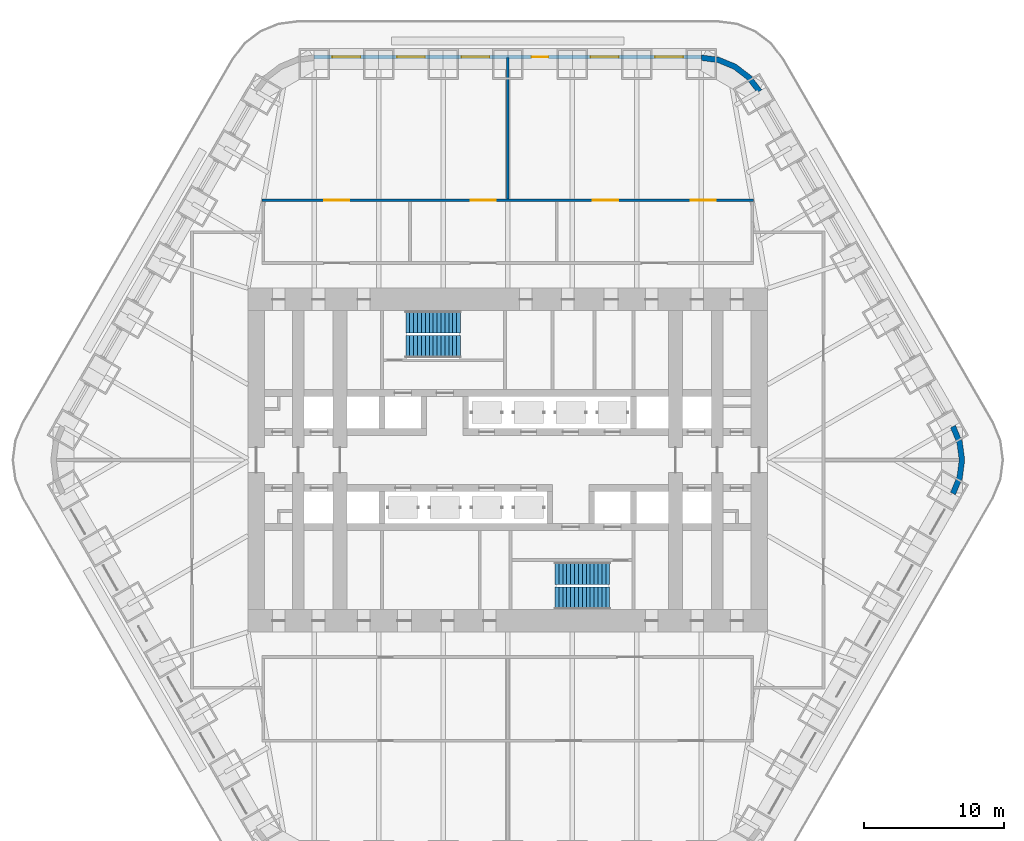
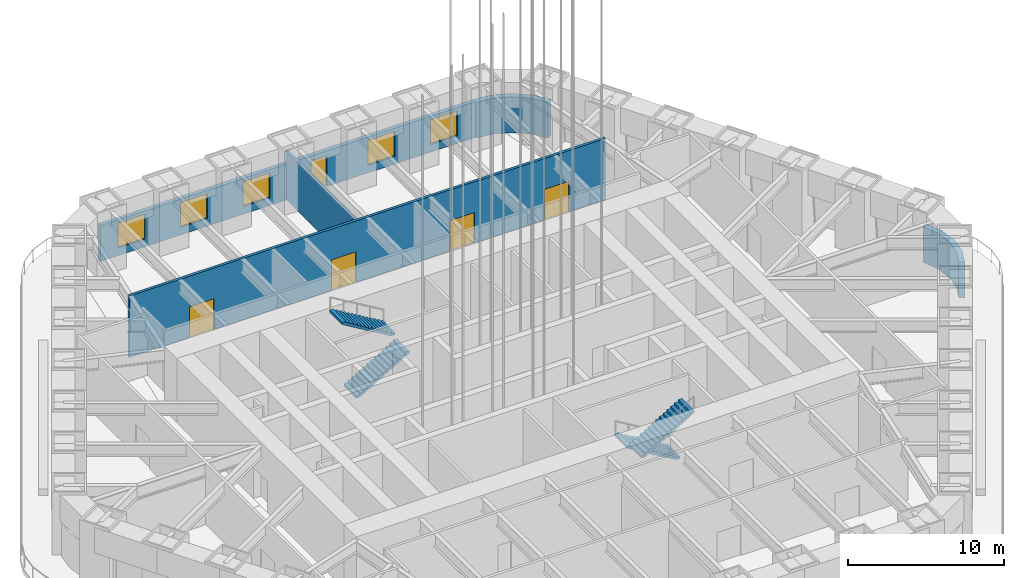
# One storey, part 11 of 15: 5 doors, 5 walls, 5 windows, 4 stair flights, 10 openings, 2 elements without a shape of their own.
"""IFC4 building model written with IfcOpenShell, lengths in metres."""

from ifc_helpers import new_model, si_unit, direction, frame, frame_2d, origin, place, context, subcontext, project, spatial, polyline, rectangle, outline, extrude, material, layer, layer_set, type_object, element, fill, aggregate, save


model = new_model("IFC4")

# Units and contexts
model_context = context("Model", 3, precision=1e-05, world=origin(), true_north=direction((0.0, 1.0)))
body_context = subcontext(model_context, "Body", "Model", "MODEL_VIEW")
ifc_project = project(units=[si_unit("LENGTHUNIT", "METRE"), si_unit("AREAUNIT", "SQUARE_METRE"), si_unit("VOLUMEUNIT", "CUBIC_METRE"), si_unit("PLANEANGLEUNIT", "RADIAN"), si_unit("MASSUNIT", "GRAM", prefix="KILO")], contexts=[model_context])

# Site, building, storey
site_placement = place(None, origin())
site = spatial("IfcSite", under=ifc_project, at=site_placement, CompositionType="ELEMENT")
building_placement = place(site_placement, origin())
building = spatial("IfcBuilding", under=site, at=building_placement, Name="Tarfa Lantern Tower", CompositionType="ELEMENT")
storey_placement = place(building_placement, frame((0.0, 0.0, 210.5)))
storey = spatial("IfcBuildingStorey", under=building, at=storey_placement, Name="L47", CompositionType="ELEMENT", Elevation=210.5)

# Wall, openings, door, windows
ifc_material_1 = material(Name="Limestone cladding on blockwork", Category="masonry")
ifc_layer_1 = layer(ifc_material_1, 0.300048828125)
ifc_layer_set_1 = layer_set([ifc_layer_1], Name="EW1 STONE-CLAD WALL 300")
wall_type_1 = type_object("IfcWallType", Name="EW1 STONE-CLAD WALL 300", PredefinedType="SOLIDWALL", material=ifc_layer_set_1)
wall_1_placement = place(storey_placement, frame((13.8564453125, 28.85009765625, 0.0), z_axis=(0.0, 0.0, 1.0), x_axis=(-1.0, 0.0, 0.0)))
wall_1 = element("IfcWall", 1, at=wall_1_placement, inside=storey, type_object=wall_type_1, Name="Stone wall N", PredefinedType="SOLIDWALL", context=body_context, shape_type="SweptSolid", body=[
    extrude(rectangle(XDim=27.712890625, YDim=0.300048828125, at=frame_2d((13.8564453125, 0.0))), origin(), (0.0, 0.0, 1.0), 2.800048828125),
])
opening_1_placement = place(wall_1_placement, frame((1.309326171875, 0.0, 0.60009765625)))
opening_1 = element("IfcOpeningElement", 2, at=opening_1_placement, cuts=wall_1, Name="Opening W11", PredefinedType="OPENING", context=body_context, shape_type="SweptSolid", body=[
    extrude(rectangle(XDim=2.0, YDim=1.949951171875, at=frame_2d((1.0, 0.97509765625))), frame((0.0, 0.159912109375, 0.0), z_axis=(0.0, -1.0, 0.0), x_axis=(1.0, 0.0, 0.0)), (0.0, 0.0, 1.0), 0.320068359375),
])
opening_2_placement = place(wall_1_placement, frame((5.92822265625, 0.0, 0.60009765625)))
opening_2 = element("IfcOpeningElement", 3, at=opening_2_placement, cuts=wall_1, Name="Opening W11", PredefinedType="OPENING", context=body_context, shape_type="SweptSolid", body=[
    extrude(rectangle(XDim=2.0, YDim=1.949951171875, at=frame_2d((1.0, 0.97509765625))), frame((0.0, 0.159912109375, 0.0), z_axis=(0.0, -1.0, 0.0), x_axis=(1.0, 0.0, 0.0)), (0.0, 0.0, 1.0), 0.320068359375),
])
opening_3_placement = place(wall_1_placement, frame((10.947021484375, 0.0, 0.0)))
opening_3 = element("IfcOpeningElement", 4, at=opening_3_placement, cuts=wall_1, Name="Opening D49", PredefinedType="OPENING", context=body_context, shape_type="SweptSolid", body=[
    extrude(rectangle(XDim=1.199951171875, YDim=2.39990234375, at=frame_2d((0.60009765625, 1.199951171875))), frame((0.0, 0.159912109375, 0.0), z_axis=(0.0, -1.0, 0.0), x_axis=(1.0, 0.0, 0.0)), (0.0, 0.0, 1.0), 0.320068359375),
])
opening_4_placement = place(wall_1_placement, frame((15.165771484375, 0.0, 0.60009765625)))
opening_4 = element("IfcOpeningElement", 5, at=opening_4_placement, cuts=wall_1, Name="Opening W11", PredefinedType="OPENING", context=body_context, shape_type="SweptSolid", body=[
    extrude(rectangle(XDim=2.0, YDim=1.949951171875, at=frame_2d((1.0, 0.97509765625))), frame((0.0, 0.159912109375, 0.0), z_axis=(0.0, -1.0, 0.0), x_axis=(1.0, 0.0, 0.0)), (0.0, 0.0, 1.0), 0.320068359375),
])
opening_5_placement = place(wall_1_placement, frame((19.78466796875, 0.0, 0.60009765625)))
opening_5 = element("IfcOpeningElement", 6, at=opening_5_placement, cuts=wall_1, Name="Opening W11", PredefinedType="OPENING", context=body_context, shape_type="SweptSolid", body=[
    extrude(rectangle(XDim=2.0, YDim=1.949951171875, at=frame_2d((1.0, 0.97509765625))), frame((0.0, 0.159912109375, 0.0), z_axis=(0.0, -1.0, 0.0), x_axis=(1.0, 0.0, 0.0)), (0.0, 0.0, 1.0), 0.320068359375),
])
opening_6_placement = place(wall_1_placement, frame((24.4033203125, 0.0, 0.60009765625)))
opening_6 = element("IfcOpeningElement", 7, at=opening_6_placement, cuts=wall_1, Name="Opening W11", PredefinedType="OPENING", context=body_context, shape_type="SweptSolid", body=[
    extrude(rectangle(XDim=2.0, YDim=1.949951171875, at=frame_2d((1.0, 0.97509765625))), frame((0.0, 0.159912109375, 0.0), z_axis=(0.0, -1.0, 0.0), x_axis=(1.0, 0.0, 0.0)), (0.0, 0.0, 1.0), 0.320068359375),
])
ifc_material_2 = material(Name="Aluminium framed glazed door", Category="aluminium")
door_type_1 = type_object("IfcDoorType", Name="BE3 BALCONY DOOR 1200x2400", OperationType="SINGLE_SWING_RIGHT", PredefinedType="DOOR", material=ifc_material_2)
door_1_placement = place(opening_3_placement, origin())
door_1 = element("IfcDoor", 8, at=door_1_placement, inside=storey, type_object=door_type_1, Name="Balcony door N", OperationType="SINGLE_SWING_LEFT", OverallHeight=2.39990234375, OverallWidth=1.199951171875, PredefinedType="DOOR", context=body_context, shape_type="SweptSolid", body=[
    extrude(rectangle(XDim=1.199951171875, YDim=2.39990234375, at=frame_2d((0.60009765625, 1.199951171875))), frame((0.0, 0.02490234375, 0.0), z_axis=(0.0, -1.0, 0.0), x_axis=(1.0, 0.0, 0.0)), (0.0, 0.0, 1.0), 0.050048828125),
])
fill(opening_3, door_1)
ifc_material_3 = material(Name="Aluminium frame, double glazed", Category="aluminium")
window_type = type_object("IfcWindowType", Name="W11 FULL-HEIGHT GLAZING 2000x1950", PartitioningType="SINGLE_PANEL", PredefinedType="WINDOW", material=ifc_material_3)
window_1_placement = place(opening_1_placement, origin())
window_1 = element("IfcWindow", 9, at=window_1_placement, inside=storey, type_object=window_type, Name="Window N 1", OverallHeight=1.949951171875, OverallWidth=2.0, PartitioningType="SINGLE_PANEL", PredefinedType="WINDOW", context=body_context, shape_type="SweptSolid", body=[
    extrude(rectangle(XDim=2.0, YDim=1.949951171875, at=frame_2d((1.0, 0.97509765625))), frame((0.0, 0.030029296875, 0.0), z_axis=(0.0, -1.0, 0.0), x_axis=(1.0, 0.0, 0.0)), (0.0, 0.0, 1.0), 0.06005859375),
])
fill(opening_1, window_1)
window_2_placement = place(opening_2_placement, origin())
window_2 = element("IfcWindow", 10, at=window_2_placement, inside=storey, type_object=window_type, Name="Window N 2", OverallHeight=1.949951171875, OverallWidth=2.0, PartitioningType="SINGLE_PANEL", PredefinedType="WINDOW", context=body_context, shape_type="SweptSolid", body=[
    extrude(rectangle(XDim=2.0, YDim=1.949951171875, at=frame_2d((1.0, 0.97509765625))), frame((0.0, 0.030029296875, 0.0), z_axis=(0.0, -1.0, 0.0), x_axis=(1.0, 0.0, 0.0)), (0.0, 0.0, 1.0), 0.06005859375),
])
fill(opening_2, window_2)
window_3_placement = place(opening_4_placement, origin())
window_3 = element("IfcWindow", 11, at=window_3_placement, inside=storey, type_object=window_type, Name="Window N 4", OverallHeight=1.949951171875, OverallWidth=2.0, PartitioningType="SINGLE_PANEL", PredefinedType="WINDOW", context=body_context, shape_type="SweptSolid", body=[
    extrude(rectangle(XDim=2.0, YDim=1.949951171875, at=frame_2d((1.0, 0.97509765625))), frame((0.0, 0.030029296875, 0.0), z_axis=(0.0, -1.0, 0.0), x_axis=(1.0, 0.0, 0.0)), (0.0, 0.0, 1.0), 0.06005859375),
])
fill(opening_4, window_3)
window_4_placement = place(opening_5_placement, origin())
window_4 = element("IfcWindow", 12, at=window_4_placement, inside=storey, type_object=window_type, Name="Window N 5", OverallHeight=1.949951171875, OverallWidth=2.0, PartitioningType="SINGLE_PANEL", PredefinedType="WINDOW", context=body_context, shape_type="SweptSolid", body=[
    extrude(rectangle(XDim=2.0, YDim=1.949951171875, at=frame_2d((1.0, 0.97509765625))), frame((0.0, 0.030029296875, 0.0), z_axis=(0.0, -1.0, 0.0), x_axis=(1.0, 0.0, 0.0)), (0.0, 0.0, 1.0), 0.06005859375),
])
fill(opening_5, window_4)
window_5_placement = place(opening_6_placement, origin())
window_5 = element("IfcWindow", 13, at=window_5_placement, inside=storey, type_object=window_type, Name="Window N 6", OverallHeight=1.949951171875, OverallWidth=2.0, PartitioningType="SINGLE_PANEL", PredefinedType="WINDOW", context=body_context, shape_type="SweptSolid", body=[
    extrude(rectangle(XDim=2.0, YDim=1.949951171875, at=frame_2d((1.0, 0.97509765625))), frame((0.0, 0.030029296875, 0.0), z_axis=(0.0, -1.0, 0.0), x_axis=(1.0, 0.0, 0.0)), (0.0, 0.0, 1.0), 0.06005859375),
])
fill(opening_6, window_5)

# Walls
ifc_layer_2 = layer(ifc_material_1, 0.39990234375)
ifc_layer_set_2 = layer_set([ifc_layer_2], Name="EW2 CURVED STONE CORNER 400")
wall_type_2 = type_object("IfcWallType", Name="EW2 CURVED STONE CORNER 400", PredefinedType="SOLIDWALL", material=ifc_layer_set_2)
wall_2_placement = place(storey_placement, origin())
element("IfcWall", 14, at=wall_2_placement, inside=storey, type_object=wall_type_2, Name="Stone corner NE-N", PredefinedType="SOLIDWALL", context=body_context, shape_type="SweptSolid", body=[
    extrude(outline(polyline([(18.1865234375, 26.5), (17.391845703125, 27.53564453125), (16.3564453125, 28.330078125), (15.150390625, 28.82958984375), (13.8564453125, 29.0), (13.8564453125, 28.60009765625), (15.046875, 28.443359375), (16.156494140625, 27.983642578125), (17.109130859375, 27.252685546875), (17.840087890625, 26.300048828125), (18.1865234375, 26.5)])), origin(), (0.0, 0.0, 1.0), 2.800048828125),
])
wall_3_placement = place(storey_placement, origin())
element("IfcWall", 15, at=wall_3_placement, inside=storey, type_object=wall_type_2, Name="Stone corner SE-NE", PredefinedType="SOLIDWALL", context=body_context, shape_type="SweptSolid", body=[
    extrude(outline(polyline([(32.04296875, -2.5), (32.54248046875, -1.294189453125), (32.712890625, 0.0), (32.54248046875, 1.294189453125), (32.04296875, 2.5), (31.696533203125, 2.300048828125), (32.156005859375, 1.190673828125), (32.312744140625, 0.0), (32.156005859375, -1.190673828125), (31.696533203125, -2.300048828125), (32.04296875, -2.5)])), origin(), (0.0, 0.0, 1.0), 2.800048828125),
])

# Wall, openings, doors
ifc_material_4 = material(Name="Gypsum board on steel studs", Category="steel")
ifc_layer_3 = layer(ifc_material_4, 0.2099609375)
ifc_layer_set_3 = layer_set([ifc_layer_3], Name="IW2 ACOUSTIC PARTITION 200")
wall_type_3 = type_object("IfcWallType", Name="IW2 ACOUSTIC PARTITION 200", PredefinedType="PARTITIONING", material=ifc_layer_set_3)
wall_4_placement = place(storey_placement, frame((-17.60009765625, 18.60009765625, 0.0), z_axis=(0.0, 0.0, 1.0), x_axis=(1.0, 0.0, 0.0)))
wall_4 = element("IfcWall", 16, at=wall_4_placement, inside=storey, type_object=wall_type_3, Name="Partition", PredefinedType="PARTITIONING", context=body_context, shape_type="SweptSolid", body=[
    extrude(rectangle(XDim=35.2001953125, YDim=0.199951171875, at=frame_2d((17.60009765625, 0.0))), origin(), (0.0, 0.0, 1.0), 4.800048828125),
])
opening_7_placement = place(wall_4_placement, frame((4.449951171875, 0.0, 0.0)))
opening_7 = element("IfcOpeningElement", 17, at=opening_7_placement, cuts=wall_4, Name="Opening D33", PredefinedType="OPENING", context=body_context, shape_type="SweptSolid", body=[
    extrude(rectangle(XDim=1.800048828125, YDim=2.39990234375, at=frame_2d((0.89990234375, 1.199951171875))), frame((0.0, 0.10986328125, 0.0), z_axis=(0.0, -1.0, 0.0), x_axis=(1.0, 0.0, 0.0)), (0.0, 0.0, 1.0), 0.219970703125),
])
opening_8_placement = place(wall_4_placement, frame((14.949951171875, 0.0, 0.0)))
opening_8 = element("IfcOpeningElement", 18, at=opening_8_placement, cuts=wall_4, Name="Opening D34", PredefinedType="OPENING", context=body_context, shape_type="SweptSolid", body=[
    extrude(rectangle(XDim=1.800048828125, YDim=2.39990234375, at=frame_2d((0.89990234375, 1.199951171875))), frame((0.0, 0.10986328125, 0.0), z_axis=(0.0, -1.0, 0.0), x_axis=(1.0, 0.0, 0.0)), (0.0, 0.0, 1.0), 0.219970703125),
])
opening_9_placement = place(wall_4_placement, frame((23.699951171875, 0.0, 0.0)))
opening_9 = element("IfcOpeningElement", 19, at=opening_9_placement, cuts=wall_4, Name="Opening D35", PredefinedType="OPENING", context=body_context, shape_type="SweptSolid", body=[
    extrude(rectangle(XDim=1.800048828125, YDim=2.39990234375, at=frame_2d((0.89990234375, 1.199951171875))), frame((0.0, 0.10986328125, 0.0), z_axis=(0.0, -1.0, 0.0), x_axis=(1.0, 0.0, 0.0)), (0.0, 0.0, 1.0), 0.219970703125),
])
opening_10_placement = place(wall_4_placement, frame((30.699951171875, 0.0, 0.0)))
opening_10 = element("IfcOpeningElement", 20, at=opening_10_placement, cuts=wall_4, Name="Opening D36", PredefinedType="OPENING", context=body_context, shape_type="SweptSolid", body=[
    extrude(rectangle(XDim=1.800048828125, YDim=2.39990234375, at=frame_2d((0.89990234375, 1.199951171875))), frame((0.0, 0.10986328125, 0.0), z_axis=(0.0, -1.0, 0.0), x_axis=(1.0, 0.0, 0.0)), (0.0, 0.0, 1.0), 0.219970703125),
])
ifc_material_5 = material(Name="Timber door", Category="wood")
door_type_2 = type_object("IfcDoorType", Name="DR2 ROOM DOOR 1800x2400", OperationType="DOUBLE_DOOR_SINGLE_SWING", PredefinedType="DOOR", material=ifc_material_5)
door_2_placement = place(opening_7_placement, frame((1.800048828125, 0.0, 0.0), z_axis=(0.0, 0.0, 1.0), x_axis=(-1.0, 0.0, 0.0)))
door_2 = element("IfcDoor", 21, at=door_2_placement, inside=storey, type_object=door_type_2, Name="Client meeting room door", OperationType="DOUBLE_DOOR_SINGLE_SWING", OverallHeight=2.39990234375, OverallWidth=1.800048828125, PredefinedType="DOOR", context=body_context, shape_type="SweptSolid", body=[
    extrude(rectangle(XDim=1.800048828125, YDim=2.39990234375, at=frame_2d((0.89990234375, 1.199951171875))), frame((0.0, 0.02490234375, 0.0), z_axis=(0.0, -1.0, 0.0), x_axis=(1.0, 0.0, 0.0)), (0.0, 0.0, 1.0), 0.050048828125),
])
fill(opening_7, door_2)
door_3_placement = place(opening_8_placement, frame((1.800048828125, 0.0, 0.0), z_axis=(0.0, 0.0, 1.0), x_axis=(-1.0, 0.0, 0.0)))
door_3 = element("IfcDoor", 22, at=door_3_placement, inside=storey, type_object=door_type_2, Name="Client meeting room door", OperationType="DOUBLE_DOOR_SINGLE_SWING", OverallHeight=2.39990234375, OverallWidth=1.800048828125, PredefinedType="DOOR", context=body_context, shape_type="SweptSolid", body=[
    extrude(rectangle(XDim=1.800048828125, YDim=2.39990234375, at=frame_2d((0.89990234375, 1.199951171875))), frame((0.0, 0.02490234375, 0.0), z_axis=(0.0, -1.0, 0.0), x_axis=(1.0, 0.0, 0.0)), (0.0, 0.0, 1.0), 0.050048828125),
])
fill(opening_8, door_3)
door_4_placement = place(opening_9_placement, frame((1.800048828125, 0.0, 0.0), z_axis=(0.0, 0.0, 1.0), x_axis=(-1.0, 0.0, 0.0)))
door_4 = element("IfcDoor", 23, at=door_4_placement, inside=storey, type_object=door_type_2, Name="Client meeting room door", OperationType="DOUBLE_DOOR_SINGLE_SWING", OverallHeight=2.39990234375, OverallWidth=1.800048828125, PredefinedType="DOOR", context=body_context, shape_type="SweptSolid", body=[
    extrude(rectangle(XDim=1.800048828125, YDim=2.39990234375, at=frame_2d((0.89990234375, 1.199951171875))), frame((0.0, 0.02490234375, 0.0), z_axis=(0.0, -1.0, 0.0), x_axis=(1.0, 0.0, 0.0)), (0.0, 0.0, 1.0), 0.050048828125),
])
fill(opening_9, door_4)
door_5_placement = place(opening_10_placement, frame((1.800048828125, 0.0, 0.0), z_axis=(0.0, 0.0, 1.0), x_axis=(-1.0, 0.0, 0.0)))
door_5 = element("IfcDoor", 24, at=door_5_placement, inside=storey, type_object=door_type_2, Name="Client meeting room door", OperationType="DOUBLE_DOOR_SINGLE_SWING", OverallHeight=2.39990234375, OverallWidth=1.800048828125, PredefinedType="DOOR", context=body_context, shape_type="SweptSolid", body=[
    extrude(rectangle(XDim=1.800048828125, YDim=2.39990234375, at=frame_2d((0.89990234375, 1.199951171875))), frame((0.0, 0.02490234375, 0.0), z_axis=(0.0, -1.0, 0.0), x_axis=(1.0, 0.0, 0.0)), (0.0, 0.0, 1.0), 0.050048828125),
])
fill(opening_10, door_5)

# Wall
wall_5_placement = place(storey_placement, frame((0.0, 18.699951171875, 0.0), z_axis=(0.0, 0.0, 1.0), x_axis=(0.0, 1.0, 0.0)))
element("IfcWall", 25, at=wall_5_placement, inside=storey, type_object=wall_type_3, Name="Partition", PredefinedType="PARTITIONING", context=body_context, shape_type="SweptSolid", body=[
    extrude(rectangle(XDim=10.110107421875, YDim=0.199951171875, at=frame_2d((5.05517578125, 0.0))), origin(), (0.0, 0.0, 1.0), 3.7919921875),
])

# Stair, stair flights
ifc_material_6 = material(Name="Concrete C40/50", Category="concrete")
stair_type = type_object("IfcStairType", Name="ST-T9 HALF-TURN STAIR 5000 RISE", PredefinedType="HALF_TURN_STAIR", material=ifc_material_6)
stair_1_placement = place(storey_placement, origin())
stair_1 = element("IfcStair", 26, at=stair_1_placement, inside=storey, type_object=stair_type, Name="Stair ST1", PredefinedType="HALF_TURN_STAIR")
stair_flight_type = type_object("IfcStairFlightType", Name="SF1 STAIR FLIGHT", PredefinedType="STRAIGHT", material=ifc_material_6)
stair_flight_1_placement = place(storey_placement, frame((-7.300048828125, 8.10009765625, 0.0), z_axis=(0.0, 0.0, 1.0), x_axis=(1.0, 0.0, 0.0)))
stair_flight_1 = element("IfcStairFlight", 27, at=stair_flight_1_placement, type_object=stair_flight_type, Name="ST1 flight 1", NumberOfRisers=15, NumberOfTreads=14, PredefinedType="STRAIGHT", RiserHeight=0.166666667, TreadLength=0.28, context=body_context, shape_type="SweptSolid", body=[
    extrude(outline(polyline([(0.0, 0.0), (0.0, 0.166748046875), (0.280029296875, 0.166748046875), (0.280029296875, 0.333251953125), (0.56005859375, 0.333251953125), (0.56005859375, 0.5), (0.840087890625, 0.5), (0.840087890625, 0.666748046875), (1.1201171875, 0.666748046875), (1.1201171875, 0.833251953125), (1.39990234375, 0.833251953125), (1.39990234375, 1.0), (1.679931640625, 1.0), (1.679931640625, 1.166748046875), (1.9599609375, 1.166748046875), (1.9599609375, 1.333251953125), (2.239990234375, 1.333251953125), (2.239990234375, 1.5), (2.52001953125, 1.5), (2.52001953125, 1.666748046875), (2.800048828125, 1.666748046875), (2.800048828125, 1.833251953125), (3.080078125, 1.833251953125), (3.080078125, 2.0), (3.360107421875, 2.0), (3.360107421875, 2.166748046875), (3.639892578125, 2.166748046875), (3.639892578125, 2.333251953125), (3.919921875, 2.333251953125), (3.919921875, 2.5), (3.919921875, 2.158935546875), (0.29296875, 0.0), (0.0, 0.0)])), frame((0.0, 0.800048828125, 0.0), z_axis=(0.0, -1.0, 0.0), x_axis=(1.0, 0.0, 0.0)), (0.0, 0.0, 1.0), 1.60009765625),
])
stair_flight_2_placement = place(storey_placement, frame((-3.3798828125, 9.89990234375, 2.5), z_axis=(0.0, 0.0, 1.0), x_axis=(-1.0, 0.0, 0.0)))
stair_flight_2 = element("IfcStairFlight", 28, at=stair_flight_2_placement, type_object=stair_flight_type, Name="ST1 flight 2", NumberOfRisers=15, NumberOfTreads=14, PredefinedType="STRAIGHT", RiserHeight=0.166666667, TreadLength=0.28, context=body_context, shape_type="SweptSolid", body=[
    extrude(outline(polyline([(0.0, 0.0), (0.0, 0.166748046875), (0.280029296875, 0.166748046875), (0.280029296875, 0.333251953125), (0.56005859375, 0.333251953125), (0.56005859375, 0.5), (0.840087890625, 0.5), (0.840087890625, 0.666748046875), (1.1201171875, 0.666748046875), (1.1201171875, 0.833251953125), (1.39990234375, 0.833251953125), (1.39990234375, 1.0), (1.679931640625, 1.0), (1.679931640625, 1.166748046875), (1.9599609375, 1.166748046875), (1.9599609375, 1.333251953125), (2.239990234375, 1.333251953125), (2.239990234375, 1.5), (2.52001953125, 1.5), (2.52001953125, 1.666748046875), (2.800048828125, 1.666748046875), (2.800048828125, 1.833251953125), (3.080078125, 1.833251953125), (3.080078125, 2.0), (3.360107421875, 2.0), (3.360107421875, 2.166748046875), (3.639892578125, 2.166748046875), (3.639892578125, 2.333251953125), (3.919921875, 2.333251953125), (3.919921875, 2.5), (3.919921875, 2.158935546875), (0.29296875, 0.0), (0.0, 0.0)])), frame((0.0, 0.800048828125, 0.0), z_axis=(0.0, -1.0, 0.0), x_axis=(1.0, 0.0, 0.0)), (0.0, 0.0, 1.0), 1.60009765625),
])
aggregate(stair_1, [stair_flight_1, stair_flight_2])

stair_2_placement = place(storey_placement, origin())
stair_2 = element("IfcStair", 29, at=stair_2_placement, inside=storey, type_object=stair_type, Name="Stair ST2", PredefinedType="HALF_TURN_STAIR")
stair_flight_3_placement = place(storey_placement, frame((7.300048828125, -8.10009765625, 0.0), z_axis=(0.0, 0.0, 1.0), x_axis=(-1.0, 0.0, 0.0)))
stair_flight_3 = element("IfcStairFlight", 30, at=stair_flight_3_placement, type_object=stair_flight_type, Name="ST2 flight 1", NumberOfRisers=15, NumberOfTreads=14, PredefinedType="STRAIGHT", RiserHeight=0.166666667, TreadLength=0.28, context=body_context, shape_type="SweptSolid", body=[
    extrude(outline(polyline([(0.0, 0.0), (0.0, 0.166748046875), (0.280029296875, 0.166748046875), (0.280029296875, 0.333251953125), (0.56005859375, 0.333251953125), (0.56005859375, 0.5), (0.840087890625, 0.5), (0.840087890625, 0.666748046875), (1.1201171875, 0.666748046875), (1.1201171875, 0.833251953125), (1.39990234375, 0.833251953125), (1.39990234375, 1.0), (1.679931640625, 1.0), (1.679931640625, 1.166748046875), (1.9599609375, 1.166748046875), (1.9599609375, 1.333251953125), (2.239990234375, 1.333251953125), (2.239990234375, 1.5), (2.52001953125, 1.5), (2.52001953125, 1.666748046875), (2.800048828125, 1.666748046875), (2.800048828125, 1.833251953125), (3.080078125, 1.833251953125), (3.080078125, 2.0), (3.360107421875, 2.0), (3.360107421875, 2.166748046875), (3.639892578125, 2.166748046875), (3.639892578125, 2.333251953125), (3.919921875, 2.333251953125), (3.919921875, 2.5), (3.919921875, 2.158935546875), (0.29296875, 0.0), (0.0, 0.0)])), frame((0.0, 0.800048828125, 0.0), z_axis=(0.0, -1.0, 0.0), x_axis=(1.0, 0.0, 0.0)), (0.0, 0.0, 1.0), 1.60009765625),
])
stair_flight_4_placement = place(storey_placement, frame((3.3798828125, -9.89990234375, 2.5), z_axis=(0.0, 0.0, 1.0), x_axis=(1.0, 0.0, 0.0)))
stair_flight_4 = element("IfcStairFlight", 31, at=stair_flight_4_placement, type_object=stair_flight_type, Name="ST2 flight 2", NumberOfRisers=15, NumberOfTreads=14, PredefinedType="STRAIGHT", RiserHeight=0.166666667, TreadLength=0.28, context=body_context, shape_type="SweptSolid", body=[
    extrude(outline(polyline([(0.0, 0.0), (0.0, 0.166748046875), (0.280029296875, 0.166748046875), (0.280029296875, 0.333251953125), (0.56005859375, 0.333251953125), (0.56005859375, 0.5), (0.840087890625, 0.5), (0.840087890625, 0.666748046875), (1.1201171875, 0.666748046875), (1.1201171875, 0.833251953125), (1.39990234375, 0.833251953125), (1.39990234375, 1.0), (1.679931640625, 1.0), (1.679931640625, 1.166748046875), (1.9599609375, 1.166748046875), (1.9599609375, 1.333251953125), (2.239990234375, 1.333251953125), (2.239990234375, 1.5), (2.52001953125, 1.5), (2.52001953125, 1.666748046875), (2.800048828125, 1.666748046875), (2.800048828125, 1.833251953125), (3.080078125, 1.833251953125), (3.080078125, 2.0), (3.360107421875, 2.0), (3.360107421875, 2.166748046875), (3.639892578125, 2.166748046875), (3.639892578125, 2.333251953125), (3.919921875, 2.333251953125), (3.919921875, 2.5), (3.919921875, 2.158935546875), (0.29296875, 0.0), (0.0, 0.0)])), frame((0.0, 0.800048828125, 0.0), z_axis=(0.0, -1.0, 0.0), x_axis=(1.0, 0.0, 0.0)), (0.0, 0.0, 1.0), 1.60009765625),
])
aggregate(stair_2, [stair_flight_3, stair_flight_4])

save(model, "model.ifc")
